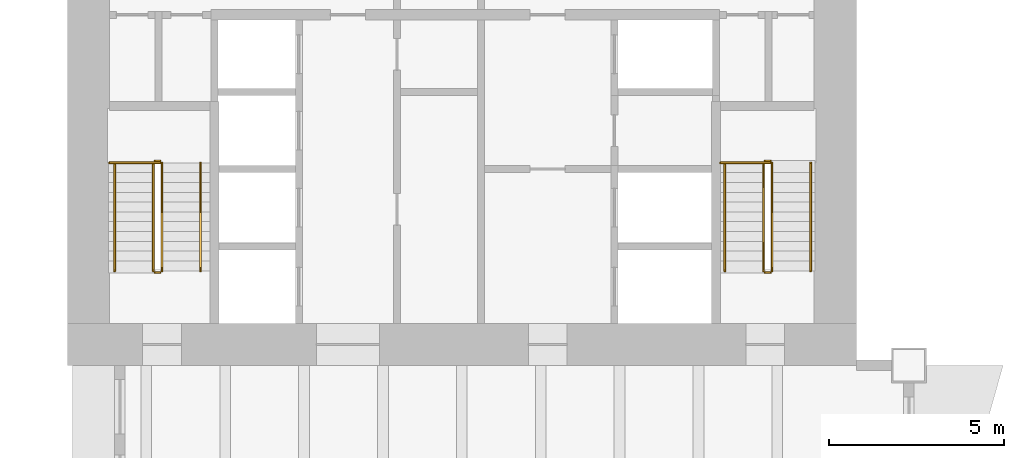
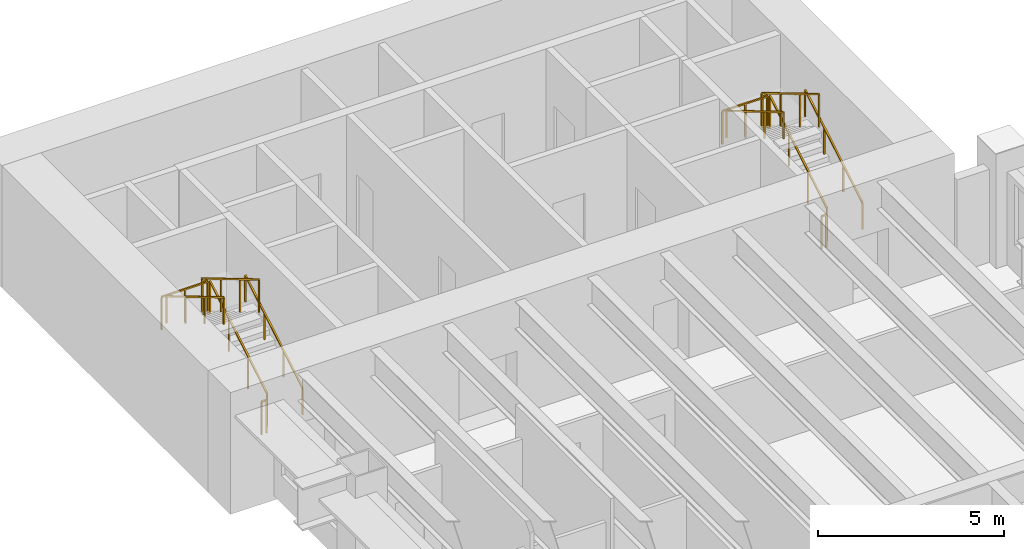
# One storey, part 16 of 16: 14 railings.
"""IFC4 building model written with IfcOpenShell, lengths in metres."""

import ifcopenshell
import ifcopenshell.guid

model = None  # the IFC model being written
_history = None  # IfcOwnerHistory: only IFC2X3 demands one
_inside = {}  # id of a spatial element -> (the spatial element, [elements in it])
_under = {}  # id of a project, library or spatial element -> (it, [spatial elements below it])
_declared = {}  # id of a project -> (the project, [libraries it declares])
_typed = {}  # id of a type object -> (the type object, [elements of that type])
_made_of = {}  # id of a material, layer set ... -> (it, [elements and type objects made of it])


def new_model(schema):
    """Start an empty IFC model of exactly this schema.

    Asked for "IFC4X3", IfcOpenShell would pick the latest addendum, in which some entities
    have other attributes; the version numbers below select the first issue.
    IFC2X3 requires an IfcOwnerHistory on every rooted entity: one is made here for all.
    """
    global model, _history
    if schema == "IFC4X3":
        model = ifcopenshell.file(schema_version=(4, 3, 0, 0))
    else:
        model = ifcopenshell.file(schema=schema)
    _inside.clear()
    _under.clear()
    _declared.clear()
    _typed.clear()
    _made_of.clear()
    _history = None
    if model.schema == "IFC2X3":
        org = make("IfcOrganization", Name="unknown")
        user = make(
            "IfcPersonAndOrganization",
            ThePerson=make("IfcPerson", FamilyName="unknown"),
            TheOrganization=org,
        )
        app = make(
            "IfcApplication",
            ApplicationDeveloper=org,
            Version="unknown",
            ApplicationFullName="unknown",
            ApplicationIdentifier="unknown",
        )
        _history = make(
            "IfcOwnerHistory",
            OwningUser=user,
            OwningApplication=app,
            ChangeAction="ADDED",
            CreationDate=0,
        )
    return model


def make(cls, **values):
    """One entity of the class cls with the attributes given. An attribute that is None is left unset."""
    return model.create_entity(
        cls, **{name: value for name, value in values.items() if value is not None}
    )


def rooted(cls, **values):
    """An entity with a GlobalId (a new one), such as an element, a storey or a relation."""
    return make(cls, GlobalId=ifcopenshell.guid.new(), OwnerHistory=_history, **values)


def si_unit(unit_type, name, prefix=None):
    """IfcSIUnit, for example si_unit("LENGTHUNIT", "METRE", prefix="MILLI")."""
    return make("IfcSIUnit", UnitType=unit_type, Prefix=prefix, Name=name)


def assignment(units):
    """IfcUnitAssignment: the units of a project."""
    return None if units is None else make("IfcUnitAssignment", Units=units)


def point(xyz):
    """IfcCartesianPoint."""
    return None if xyz is None else make("IfcCartesianPoint", Coordinates=xyz)


def direction(xyz):
    """IfcDirection."""
    return None if xyz is None else make("IfcDirection", DirectionRatios=xyz)


def frame(location, z_axis=None, x_axis=None):
    """IfcAxis2Placement3D, a coordinate frame: its origin and axes. An axis left out is left unset."""
    return make(
        "IfcAxis2Placement3D",
        Location=point(location),
        Axis=direction(z_axis),
        RefDirection=direction(x_axis),
    )


def frame_2d(location, x_axis=None):
    """IfcAxis2Placement2D, a coordinate frame in the plane: its origin and x axis."""
    return make(
        "IfcAxis2Placement2D", Location=point(location), RefDirection=direction(x_axis)
    )


def origin():
    """The frame at (0, 0, 0) with its axes left unset."""
    return frame((0.0, 0.0, 0.0))


def origin_2d():
    """The frame at (0, 0) in the plane with its x axis left unset."""
    return frame_2d((0.0, 0.0))


def place(relative_to, where):
    """IfcLocalPlacement: puts the frame where relative to a parent placement (None: the world)."""
    return make(
        "IfcLocalPlacement", PlacementRelTo=relative_to, RelativePlacement=where
    )


def context(
    kind, dimensions, precision=None, world=None, true_north=None, identifier=None
):
    """IfcGeometricRepresentationContext, for example the 3D "Model" context."""
    return make(
        "IfcGeometricRepresentationContext",
        ContextIdentifier=identifier,
        ContextType=kind,
        CoordinateSpaceDimension=dimensions,
        Precision=precision,
        WorldCoordinateSystem=world,
        TrueNorth=true_north,
    )


def subcontext(parent, identifier, kind, view, scale=None):
    """IfcGeometricRepresentationSubContext, for example "Body" below "Model"."""
    return make(
        "IfcGeometricRepresentationSubContext",
        ContextIdentifier=identifier,
        ContextType=kind,
        ParentContext=parent,
        TargetScale=scale,
        TargetView=view,
    )


def project(units=None, contexts=None):
    """IfcProject with its units and contexts."""
    return rooted(
        "IfcProject",
        Name="project",
        RepresentationContexts=contexts,
        UnitsInContext=assignment(units),
    )


def spatial(cls, under=None, at=None, **own):
    """A site, building, storey or space (cls), placed at a placement, below another one or the project."""
    s = rooted(cls, ObjectPlacement=at, **own)
    if under is not None:
        _under.setdefault(under.id(), (under, []))[1].append(s)
    return s


def profile(cls, at=None, kind="AREA", **sizes):
    """A parametric profile (cls). Its sizes go by their IFC names, for example OverallWidth=200.0."""
    return make(cls, ProfileType=kind, Position=at, **sizes)


def rectangle(**sizes):
    """IfcRectangleProfileDef."""
    return profile("IfcRectangleProfileDef", **sizes)


def extrude(swept, where, along, depth):
    """IfcExtrudedAreaSolid: the profile swept, set in the frame where, extruded along a direction by depth."""
    return make(
        "IfcExtrudedAreaSolid",
        SweptArea=swept,
        Position=where,
        ExtrudedDirection=direction(along),
        Depth=depth,
    )


def shape(context_of_items, identifier, shape_type, items):
    """IfcShapeRepresentation: the items that make up one representation, for example the "Body"."""
    return make(
        "IfcShapeRepresentation",
        ContextOfItems=context_of_items,
        RepresentationIdentifier=identifier,
        RepresentationType=shape_type,
        Items=items,
    )


def material(Name=None, Category=None):
    """IfcMaterial."""
    return make("IfcMaterial", Name=Name, Category=Category)


def made_of(thing, what):
    """Note that an element or type object is made of a material, layer set ...; save() writes the relation."""
    if what is not None:
        _made_of.setdefault(what.id(), (what, []))[1].append(thing)
    return thing


def type_object(cls, material=None, **own):
    """A type object (cls), such as IfcWallType, which elements share."""
    return made_of(rooted(cls, **own), material)


def element(
    cls,
    number,
    at=None,
    inside=None,
    cuts=None,
    type_object=None,
    material=None,
    context=None,
    identifier="Body",
    shape_type=None,
    held_by="IfcProductDefinitionShape",
    body=None,
    shapes=None,
    **own,
):
    """One element of the class cls, such as IfcWall. Its Tag is "e" and its number.

    at: its placement. inside: the storey or other place that contains it. cuts: it is an
    opening in that element (IfcRelVoidsElement). A single representation is given by context,
    identifier, shape_type and body (its items); several are given by shapes. held_by: the class
    of the entity that holds the representations. save() writes the other relations.
    """
    e = rooted(cls, Tag="e%d" % number, ObjectPlacement=at, **own)
    if body is not None:
        shapes = [shape(context, identifier, shape_type, body)]
    if shapes is not None:
        e.Representation = make(held_by, Representations=shapes)
    if inside is not None:
        _inside.setdefault(inside.id(), (inside, []))[1].append(e)
    if cuts is not None:
        rooted(
            "IfcRelVoidsElement", RelatingBuildingElement=cuts, RelatedOpeningElement=e
        )
    if type_object is not None:
        _typed.setdefault(type_object.id(), (type_object, []))[1].append(e)
    return made_of(e, material)


def aggregate(whole, parts):
    """IfcRelAggregates: a whole, such as a stair, and the parts it consists of."""
    return rooted("IfcRelAggregates", RelatingObject=whole, RelatedObjects=parts)


def save(model, path):
    """Write the relations noted so far, then the file.

    IfcRelAggregates (storeys below a building ...), IfcRelContainedInSpatialStructure (elements
    in a storey), IfcRelDefinesByType, IfcRelAssociatesMaterial and IfcRelDeclares: one each for
    every whole, place, type object, material and project.
    """
    for whole, parts in _under.values():
        aggregate(whole, parts)
    for where, things in _inside.values():
        rooted(
            "IfcRelContainedInSpatialStructure",
            RelatedElements=things,
            RelatingStructure=where,
        )
    for kind, things in _typed.values():
        rooted("IfcRelDefinesByType", RelatedObjects=things, RelatingType=kind)
    for what, things in _made_of.values():
        rooted("IfcRelAssociatesMaterial", RelatedObjects=things, RelatingMaterial=what)
    for by, libraries in _declared.values():
        rooted("IfcRelDeclares", RelatingContext=by, RelatedDefinitions=libraries)
    model.write(path)


model = new_model("IFC4")

# Units and contexts
model_context = context("Model", 3, precision=1e-05, world=origin(), true_north=direction((0.0, 1.0)))
body_context = subcontext(model_context, "Body", "Model", "MODEL_VIEW")
ifc_project = project(units=[si_unit("LENGTHUNIT", "METRE"), si_unit("AREAUNIT", "SQUARE_METRE"), si_unit("VOLUMEUNIT", "CUBIC_METRE"), si_unit("PLANEANGLEUNIT", "RADIAN"), si_unit("MASSUNIT", "GRAM", prefix="KILO")], contexts=[model_context])

# Site, building, storey
site_placement = place(None, origin())
site = spatial("IfcSite", under=ifc_project, at=site_placement, CompositionType="ELEMENT")
building_placement = place(site_placement, origin())
building = spatial("IfcBuilding", under=site, at=building_placement, Name="Sennacour Bend Tower", CompositionType="ELEMENT")
storey_placement = place(building_placement, frame((0.0, 0.0, 127.0)))
storey = spatial("IfcBuildingStorey", under=building, at=storey_placement, Name="L29", CompositionType="ELEMENT", Elevation=127.0)

# Railings
ifc_material = material(Name="Stainless steel", Category="steel")
railing_type_1 = type_object("IfcRailingType", Name="RL-GUARD-1100", PredefinedType="GUARDRAIL", material=ifc_material)
railing_1_placement = place(storey_placement, frame((2.699951171875, 38.699951171875, 0.166748046875)))
element("IfcRailing", 1, at=railing_1_placement, inside=storey, type_object=railing_type_1, Name="L29 SB1 stair guard 1", PredefinedType="GUARDRAIL", context=body_context, shape_type="SweptSolid", body=[
    extrude(rectangle(XDim=0.048095703125, YDim=0.048095703125, at=origin_2d()), frame((0.0, 0.0, 1.076171875), z_axis=(0.0, 0.859308565015, 0.511457515432), x_axis=(-1.0, 0.0, 0.0)), (0.0, 0.0, 1.0), 3.58447265625),
    extrude(rectangle(XDim=0.0419921875, YDim=0.0419921875, at=origin_2d()), origin(), (0.0, 0.0, 1.0), 1.052001953125),
    extrude(rectangle(XDim=0.0419921875, YDim=0.0419921875, at=origin_2d()), frame((0.0, 1.026611328125, 0.611083984375)), (0.0, 0.0, 1.0), 1.052001953125),
    extrude(rectangle(XDim=0.0419921875, YDim=0.0419921875, at=origin_2d()), frame((0.0, 2.053466796875, 1.22216796875)), (0.0, 0.0, 1.0), 1.052001953125),
    extrude(rectangle(XDim=0.0419921875, YDim=0.0419921875, at=origin_2d()), frame((0.0, 3.080078125, 1.833251953125)), (0.0, 0.0, 1.0), 1.052001953125),
])
railing_2_placement = place(storey_placement, frame((2.64990234375, 41.830078125, 2.0)))
element("IfcRailing", 2, at=railing_2_placement, inside=storey, type_object=railing_type_1, Name="L29 SB1 stair guard 2", PredefinedType="GUARDRAIL", context=body_context, shape_type="SweptSolid", body=[
    extrude(rectangle(XDim=0.048095703125, YDim=0.048095703125, at=origin_2d()), frame((0.0, 0.0, 1.076171875), z_axis=(-1.0, 0.0, 0.0), x_axis=(0.0, -1.0, 0.0)), (0.0, 0.0, 1.0), 0.14990234375),
    extrude(rectangle(XDim=0.0419921875, YDim=0.0419921875, at=origin_2d()), origin(), (0.0, 0.0, 1.0), 1.052001953125),
    extrude(rectangle(XDim=0.0419921875, YDim=0.0419921875, at=origin_2d()), frame((-0.14990234375, 0.0, 0.0)), (0.0, 0.0, 1.0), 1.052001953125),
])
railing_3_placement = place(storey_placement, frame((2.449951171875, 41.780029296875, 2.166748046875)))
element("IfcRailing", 3, at=railing_3_placement, inside=storey, type_object=railing_type_1, Name="L29 SB1 stair guard 4", PredefinedType="GUARDRAIL", context=body_context, shape_type="SweptSolid", body=[
    extrude(rectangle(XDim=0.048095703125, YDim=0.048095703125, at=origin_2d()), frame((0.0, 0.0, 1.076171875), z_axis=(0.0, -0.859308565015, 0.511457515432), x_axis=(1.0, 0.0, 0.0)), (0.0, 0.0, 1.0), 3.58447265625),
    extrude(rectangle(XDim=0.0419921875, YDim=0.0419921875, at=origin_2d()), origin(), (0.0, 0.0, 1.0), 1.052001953125),
    extrude(rectangle(XDim=0.0419921875, YDim=0.0419921875, at=origin_2d()), frame((0.0, -1.026611328125, 0.611083984375)), (0.0, 0.0, 1.0), 1.052001953125),
    extrude(rectangle(XDim=0.0419921875, YDim=0.0419921875, at=origin_2d()), frame((0.0, -2.053466796875, 1.22216796875)), (0.0, 0.0, 1.0), 1.052001953125),
    extrude(rectangle(XDim=0.0419921875, YDim=0.0419921875, at=origin_2d()), frame((0.0, -3.080078125, 1.833251953125)), (0.0, 0.0, 1.0), 1.052001953125),
])
railing_4_placement = place(storey_placement, frame((2.64990234375, 38.64990234375, 0.0)))
element("IfcRailing", 4, at=railing_4_placement, inside=storey, type_object=railing_type_1, Name="L29 SB1 stair guard 5", PredefinedType="GUARDRAIL", context=body_context, shape_type="SweptSolid", body=[
    extrude(rectangle(XDim=0.048095703125, YDim=0.048095703125, at=origin_2d()), frame((0.0, 0.0, 1.076171875), z_axis=(-1.0, 0.0, 0.0), x_axis=(0.0, -1.0, 0.0)), (0.0, 0.0, 1.0), 0.14990234375),
    extrude(rectangle(XDim=0.0419921875, YDim=0.0419921875, at=origin_2d()), origin(), (0.0, 0.0, 1.0), 1.052001953125),
    extrude(rectangle(XDim=0.0419921875, YDim=0.0419921875, at=origin_2d()), frame((-0.14990234375, 0.0, 0.0)), (0.0, 0.0, 1.0), 1.052001953125),
])
railing_5_placement = place(storey_placement, frame((2.64990234375, 41.780029296875, 2.0)))
element("IfcRailing", 5, at=railing_5_placement, inside=storey, type_object=railing_type_1, Name="L29 SB1 landing edge guard 52", PredefinedType="GUARDRAIL", context=body_context, shape_type="SweptSolid", body=[
    extrude(rectangle(XDim=0.048095703125, YDim=0.048095703125, at=origin_2d()), frame((0.0, 0.0, 1.076171875), z_axis=(-1.0, 0.0, 0.0), x_axis=(0.0, -1.0, 0.0)), (0.0, 0.0, 1.0), 1.449951171875),
    extrude(rectangle(XDim=0.0419921875, YDim=0.0419921875, at=origin_2d()), origin(), (0.0, 0.0, 1.0), 1.052001953125),
    extrude(rectangle(XDim=0.0419921875, YDim=0.0419921875, at=origin_2d()), frame((-0.72509765625, 0.0, 0.0)), (0.0, 0.0, 1.0), 1.052001953125),
    extrude(rectangle(XDim=0.0419921875, YDim=0.0419921875, at=origin_2d()), frame((-1.449951171875, 0.0, 0.0)), (0.0, 0.0, 1.0), 1.052001953125),
])
railing_6_placement = place(storey_placement, frame((20.10009765625, 38.699951171875, 0.166748046875)))
element("IfcRailing", 6, at=railing_6_placement, inside=storey, type_object=railing_type_1, Name="L29 SB2 stair guard 1", PredefinedType="GUARDRAIL", context=body_context, shape_type="SweptSolid", body=[
    extrude(rectangle(XDim=0.048095703125, YDim=0.048095703125, at=origin_2d()), frame((0.0, 0.0, 1.076171875), z_axis=(0.0, 0.859308565015, 0.511457515432), x_axis=(-1.0, 0.0, 0.0)), (0.0, 0.0, 1.0), 3.58447265625),
    extrude(rectangle(XDim=0.0419921875, YDim=0.0419921875, at=origin_2d()), origin(), (0.0, 0.0, 1.0), 1.052001953125),
    extrude(rectangle(XDim=0.0419921875, YDim=0.0419921875, at=origin_2d()), frame((0.0, 1.026611328125, 0.611083984375)), (0.0, 0.0, 1.0), 1.052001953125),
    extrude(rectangle(XDim=0.0419921875, YDim=0.0419921875, at=origin_2d()), frame((0.0, 2.053466796875, 1.22216796875)), (0.0, 0.0, 1.0), 1.052001953125),
    extrude(rectangle(XDim=0.0419921875, YDim=0.0419921875, at=origin_2d()), frame((0.0, 3.080078125, 1.833251953125)), (0.0, 0.0, 1.0), 1.052001953125),
])
railing_7_placement = place(storey_placement, frame((20.050048828125, 41.830078125, 2.0)))
element("IfcRailing", 7, at=railing_7_placement, inside=storey, type_object=railing_type_1, Name="L29 SB2 stair guard 2", PredefinedType="GUARDRAIL", context=body_context, shape_type="SweptSolid", body=[
    extrude(rectangle(XDim=0.048095703125, YDim=0.048095703125, at=origin_2d()), frame((0.0, 0.0, 1.076171875), z_axis=(-1.0, 0.0, 0.0), x_axis=(0.0, -1.0, 0.0)), (0.0, 0.0, 1.0), 0.150146484375),
    extrude(rectangle(XDim=0.0419921875, YDim=0.0419921875, at=origin_2d()), origin(), (0.0, 0.0, 1.0), 1.052001953125),
    extrude(rectangle(XDim=0.0419921875, YDim=0.0419921875, at=origin_2d()), frame((-0.150146484375, 0.0, 0.0)), (0.0, 0.0, 1.0), 1.052001953125),
])
railing_8_placement = place(storey_placement, frame((19.85009765625, 41.780029296875, 2.166748046875)))
element("IfcRailing", 8, at=railing_8_placement, inside=storey, type_object=railing_type_1, Name="L29 SB2 stair guard 4", PredefinedType="GUARDRAIL", context=body_context, shape_type="SweptSolid", body=[
    extrude(rectangle(XDim=0.048095703125, YDim=0.048095703125, at=origin_2d()), frame((0.0, 0.0, 1.076171875), z_axis=(0.0, -0.859308565015, 0.511457515432), x_axis=(1.0, 0.0, 0.0)), (0.0, 0.0, 1.0), 3.58447265625),
    extrude(rectangle(XDim=0.0419921875, YDim=0.0419921875, at=origin_2d()), origin(), (0.0, 0.0, 1.0), 1.052001953125),
    extrude(rectangle(XDim=0.0419921875, YDim=0.0419921875, at=origin_2d()), frame((0.0, -1.026611328125, 0.611083984375)), (0.0, 0.0, 1.0), 1.052001953125),
    extrude(rectangle(XDim=0.0419921875, YDim=0.0419921875, at=origin_2d()), frame((0.0, -2.053466796875, 1.22216796875)), (0.0, 0.0, 1.0), 1.052001953125),
    extrude(rectangle(XDim=0.0419921875, YDim=0.0419921875, at=origin_2d()), frame((0.0, -3.080078125, 1.833251953125)), (0.0, 0.0, 1.0), 1.052001953125),
])
railing_9_placement = place(storey_placement, frame((20.050048828125, 38.64990234375, 0.0)))
element("IfcRailing", 9, at=railing_9_placement, inside=storey, type_object=railing_type_1, Name="L29 SB2 stair guard 5", PredefinedType="GUARDRAIL", context=body_context, shape_type="SweptSolid", body=[
    extrude(rectangle(XDim=0.048095703125, YDim=0.048095703125, at=origin_2d()), frame((0.0, 0.0, 1.076171875), z_axis=(-1.0, 0.0, 0.0), x_axis=(0.0, -1.0, 0.0)), (0.0, 0.0, 1.0), 0.150146484375),
    extrude(rectangle(XDim=0.0419921875, YDim=0.0419921875, at=origin_2d()), origin(), (0.0, 0.0, 1.0), 1.052001953125),
    extrude(rectangle(XDim=0.0419921875, YDim=0.0419921875, at=origin_2d()), frame((-0.150146484375, 0.0, 0.0)), (0.0, 0.0, 1.0), 1.052001953125),
])
railing_10_placement = place(storey_placement, frame((20.050048828125, 41.780029296875, 2.0)))
element("IfcRailing", 10, at=railing_10_placement, inside=storey, type_object=railing_type_1, Name="L29 SB2 landing edge guard 42", PredefinedType="GUARDRAIL", context=body_context, shape_type="SweptSolid", body=[
    extrude(rectangle(XDim=0.048095703125, YDim=0.048095703125, at=origin_2d()), frame((0.0, 0.0, 1.076171875), z_axis=(-1.0, 0.0, 0.0), x_axis=(0.0, -1.0, 0.0)), (0.0, 0.0, 1.0), 1.425048828125),
    extrude(rectangle(XDim=0.0419921875, YDim=0.0419921875, at=origin_2d()), origin(), (0.0, 0.0, 1.0), 1.052001953125),
    extrude(rectangle(XDim=0.0419921875, YDim=0.0419921875, at=origin_2d()), frame((-0.71240234375, 0.0, 0.0)), (0.0, 0.0, 1.0), 1.052001953125),
    extrude(rectangle(XDim=0.0419921875, YDim=0.0419921875, at=origin_2d()), frame((-1.425048828125, 0.0, 0.0)), (0.0, 0.0, 1.0), 1.052001953125),
])
railing_type_2 = type_object("IfcRailingType", Name="RL-HANDRAIL-900", PredefinedType="HANDRAIL", material=ifc_material)
railing_11_placement = place(storey_placement, frame((3.800048828125, 38.699951171875, 0.166748046875)))
element("IfcRailing", 11, at=railing_11_placement, inside=storey, type_object=railing_type_2, Name="L29 SB1 stair handrail 1", PredefinedType="HANDRAIL", context=body_context, shape_type="SweptSolid", body=[
    extrude(rectangle(XDim=0.048095703125, YDim=0.048095703125, at=origin_2d()), frame((0.0, 0.0, 0.8759765625), z_axis=(0.0, 0.859308565015, 0.511457515432), x_axis=(-1.0, 0.0, 0.0)), (0.0, 0.0, 1.0), 3.58447265625),
    extrude(rectangle(XDim=0.0419921875, YDim=0.0419921875, at=origin_2d()), origin(), (0.0, 0.0, 1.0), 0.851806640625),
    extrude(rectangle(XDim=0.0419921875, YDim=0.0419921875, at=origin_2d()), frame((0.0, 1.026611328125, 0.611083984375)), (0.0, 0.0, 1.0), 0.851806640625),
    extrude(rectangle(XDim=0.0419921875, YDim=0.0419921875, at=origin_2d()), frame((0.0, 2.053466796875, 1.22216796875)), (0.0, 0.0, 1.0), 0.851806640625),
    extrude(rectangle(XDim=0.0419921875, YDim=0.0419921875, at=origin_2d()), frame((0.0, 3.080078125, 1.833251953125)), (0.0, 0.0, 1.0), 0.851806640625),
])
railing_12_placement = place(storey_placement, frame((1.35009765625, 41.780029296875, 2.166748046875)))
element("IfcRailing", 12, at=railing_12_placement, inside=storey, type_object=railing_type_2, Name="L29 SB1 stair handrail 2", PredefinedType="HANDRAIL", context=body_context, shape_type="SweptSolid", body=[
    extrude(rectangle(XDim=0.048095703125, YDim=0.048095703125, at=origin_2d()), frame((0.0, 0.0, 0.8759765625), z_axis=(0.0, -0.859308565015, 0.511457515432), x_axis=(1.0, 0.0, 0.0)), (0.0, 0.0, 1.0), 3.58447265625),
    extrude(rectangle(XDim=0.0419921875, YDim=0.0419921875, at=origin_2d()), origin(), (0.0, 0.0, 1.0), 0.851806640625),
    extrude(rectangle(XDim=0.0419921875, YDim=0.0419921875, at=origin_2d()), frame((0.0, -1.026611328125, 0.611083984375)), (0.0, 0.0, 1.0), 0.851806640625),
    extrude(rectangle(XDim=0.0419921875, YDim=0.0419921875, at=origin_2d()), frame((0.0, -2.053466796875, 1.22216796875)), (0.0, 0.0, 1.0), 0.851806640625),
    extrude(rectangle(XDim=0.0419921875, YDim=0.0419921875, at=origin_2d()), frame((0.0, -3.080078125, 1.833251953125)), (0.0, 0.0, 1.0), 0.851806640625),
])
railing_13_placement = place(storey_placement, frame((21.199951171875, 38.699951171875, 0.166748046875)))
element("IfcRailing", 13, at=railing_13_placement, inside=storey, type_object=railing_type_2, Name="L29 SB2 stair handrail 1", PredefinedType="HANDRAIL", context=body_context, shape_type="SweptSolid", body=[
    extrude(rectangle(XDim=0.048095703125, YDim=0.048095703125, at=origin_2d()), frame((0.0, 0.0, 0.8759765625), z_axis=(0.0, 0.859308565015, 0.511457515432), x_axis=(-1.0, 0.0, 0.0)), (0.0, 0.0, 1.0), 3.58447265625),
    extrude(rectangle(XDim=0.0419921875, YDim=0.0419921875, at=origin_2d()), origin(), (0.0, 0.0, 1.0), 0.851806640625),
    extrude(rectangle(XDim=0.0419921875, YDim=0.0419921875, at=origin_2d()), frame((0.0, 1.026611328125, 0.611083984375)), (0.0, 0.0, 1.0), 0.851806640625),
    extrude(rectangle(XDim=0.0419921875, YDim=0.0419921875, at=origin_2d()), frame((0.0, 2.053466796875, 1.22216796875)), (0.0, 0.0, 1.0), 0.851806640625),
    extrude(rectangle(XDim=0.0419921875, YDim=0.0419921875, at=origin_2d()), frame((0.0, 3.080078125, 1.833251953125)), (0.0, 0.0, 1.0), 0.851806640625),
])
railing_14_placement = place(storey_placement, frame((18.75, 41.780029296875, 2.166748046875)))
element("IfcRailing", 14, at=railing_14_placement, inside=storey, type_object=railing_type_2, Name="L29 SB2 stair handrail 2", PredefinedType="HANDRAIL", context=body_context, shape_type="SweptSolid", body=[
    extrude(rectangle(XDim=0.048095703125, YDim=0.048095703125, at=origin_2d()), frame((0.0, 0.0, 0.8759765625), z_axis=(0.0, -0.859308565015, 0.511457515432), x_axis=(1.0, 0.0, 0.0)), (0.0, 0.0, 1.0), 3.58447265625),
    extrude(rectangle(XDim=0.0419921875, YDim=0.0419921875, at=origin_2d()), origin(), (0.0, 0.0, 1.0), 0.851806640625),
    extrude(rectangle(XDim=0.0419921875, YDim=0.0419921875, at=origin_2d()), frame((0.0, -1.026611328125, 0.611083984375)), (0.0, 0.0, 1.0), 0.851806640625),
    extrude(rectangle(XDim=0.0419921875, YDim=0.0419921875, at=origin_2d()), frame((0.0, -2.053466796875, 1.22216796875)), (0.0, 0.0, 1.0), 0.851806640625),
    extrude(rectangle(XDim=0.0419921875, YDim=0.0419921875, at=origin_2d()), frame((0.0, -3.080078125, 1.833251953125)), (0.0, 0.0, 1.0), 0.851806640625),
])

save(model, "model.ifc")
